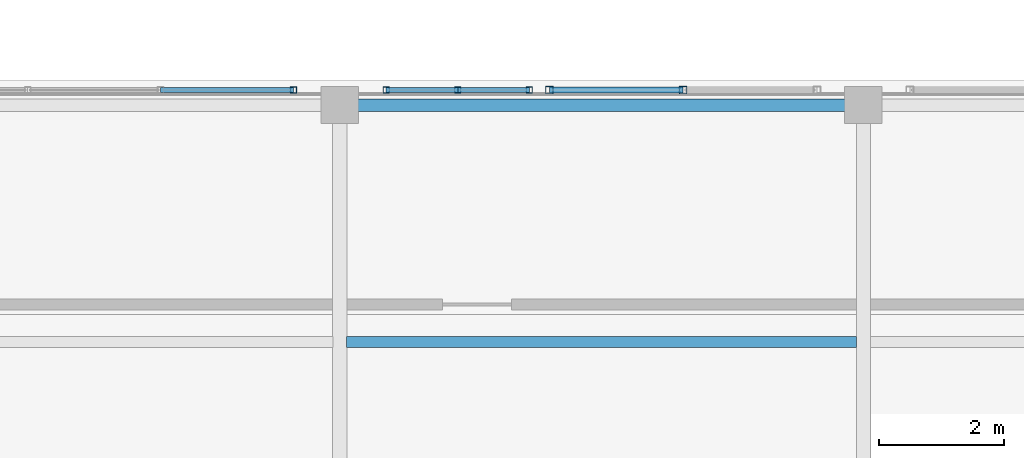
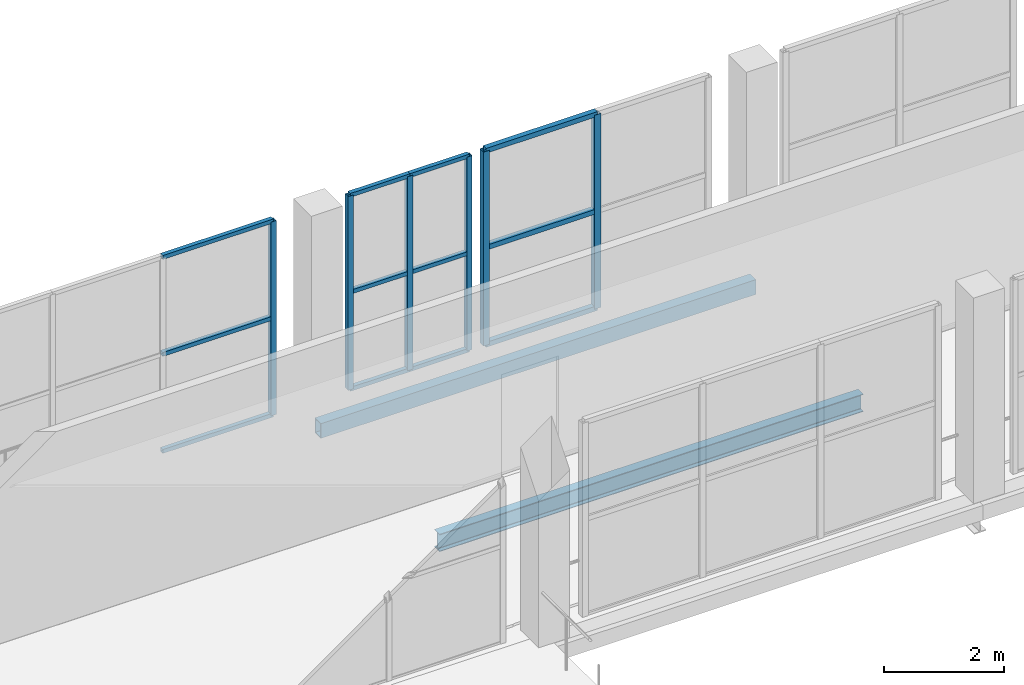
# One storey, part 34 of 151: 18 members, 2 beams, 3 elements without a shape of their own.
"""IFC4 building model written with IfcOpenShell, lengths in metres."""

from ifc_helpers import new_model, si_unit, direction, frame, origin, origin_2d, place, context, subcontext, project, spatial, hollow_rectangle, i_section, extrude, material, material_profile, profile_set, type_object, element, aggregate, save


model = new_model("IFC4")

# Units and contexts
model_context = context("Model", 3, precision=1e-05, world=origin(), true_north=direction((0.0, 1.0)))
body_context = subcontext(model_context, "Body", "Model", "MODEL_VIEW")
ifc_project = project(units=[si_unit("LENGTHUNIT", "METRE"), si_unit("AREAUNIT", "SQUARE_METRE"), si_unit("VOLUMEUNIT", "CUBIC_METRE"), si_unit("PLANEANGLEUNIT", "RADIAN"), si_unit("MASSUNIT", "GRAM", prefix="KILO")], contexts=[model_context])

# Site, building, storey
site_placement = place(None, origin())
site = spatial("IfcSite", under=ifc_project, at=site_placement, CompositionType="ELEMENT")
building_placement = place(site_placement, origin())
building = spatial("IfcBuilding", under=site, at=building_placement, Name="Zuvorla Pavilion Media Centre", CompositionType="ELEMENT")
storey_placement = place(building_placement, frame((0.0, 0.0, 13.800048828125)))
storey = spatial("IfcBuildingStorey", under=building, at=storey_placement, Name="L03", CompositionType="ELEMENT", Elevation=13.800048828125)

# Beams
ifc_material_1 = material(Name="Steel S355", Category="steel")
ifc_material_profile_1 = material_profile(ifc_material_1, hollow_rectangle(XDim=0.199951171875, YDim=0.300048828125, WallThickness=0.012451171875, at=origin_2d()), Name="RHS 300x200x12.5")
ifc_profile_set_1 = profile_set([ifc_material_profile_1], Name="Steel S355")
beam_type_1 = type_object("IfcBeamType", Name="BM-SP-RHS300", PredefinedType="SPANDREL", material=ifc_profile_set_1)
beam_1_placement = place(storey_placement, frame((66.800048828125, 51.60009765625, -0.407958984375), z_axis=(1.0, 0.0, 0.0), x_axis=(0.0, 1.0, 0.0)))
element("IfcBeam", 1, at=beam_1_placement, inside=storey, type_object=beam_type_1, Name="L03 spandrel SP01 1097", PredefinedType="SPANDREL", context=body_context, shape_type="SweptSolid", body=[
    extrude(hollow_rectangle(XDim=0.199951171875, YDim=0.300048828125, WallThickness=0.012451171875, at=origin_2d()), origin(), (0.0, 0.0, 1.0), 8.39990234375),
])
ifc_material_profile_2 = material_profile(ifc_material_1, i_section(OverallWidth=0.172119140625, OverallDepth=0.35791015625, WebThickness=0.008056640625, FlangeThickness=0.012939453125, FilletRadius=0.01025390625, at=origin_2d()), Name="UB 356x171x57")
ifc_profile_set_2 = profile_set([ifc_material_profile_2], Name="Steel S355")
beam_type_2 = type_object("IfcBeamType", Name="BM-UB356", PredefinedType="JOIST", material=ifc_profile_set_2)
beam_2_placement = place(storey_placement, frame((66.909423828125, 47.800048828125, -0.43701171875), z_axis=(1.0, 0.0, 0.0), x_axis=(0.0, 1.0, 0.0)))
element("IfcBeam", 2, at=beam_2_placement, inside=storey, type_object=beam_type_2, Name="L03 joist J03 1261", PredefinedType="JOIST", context=body_context, shape_type="SweptSolid", body=[
    extrude(i_section(OverallWidth=0.172119140625, OverallDepth=0.35791015625, WebThickness=0.008056640625, FlangeThickness=0.012939453125, FilletRadius=0.01025390625, at=origin_2d()), origin(), (0.0, 0.0, 1.0), 8.18115234375),
])

# Curtain wall, member
ifc_material_2 = material(Name="Unitised anodised aluminium and solar glass curtain wall", Category="aluminium")
curtain_wall_type_1 = type_object("IfcCurtainWallType", Name="CW-SYS-46", PredefinedType="USERDEFINED", material=ifc_material_2)
curtain_wall_1_placement = place(storey_placement, origin())
curtain_wall_1 = element("IfcCurtainWall", 3, at=curtain_wall_1_placement, inside=storey, type_object=curtain_wall_type_1, Name="L03 curtain wall CW46 156", ObjectType="CURTAIN WALL", PredefinedType="USERDEFINED")
ifc_material_3 = material(Name="Anodised aluminium 6063-T6", Category="aluminium")
ifc_material_profile_3 = material_profile(ifc_material_3, hollow_rectangle(XDim=0.10009765625, YDim=0.10009765625, WallThickness=0.00439453125, at=origin_2d()), Name="ALU MULL 100x100")
ifc_profile_set_3 = profile_set([ifc_material_profile_3], Name="Anodised aluminium 6063-T6")
member_type_1 = type_object("IfcMemberType", Name="CW-MULL-100", PredefinedType="MULLION", material=ifc_profile_set_3)
member_1_placement = place(storey_placement, frame((66.0556640625, 51.840087890625, 0.0), z_axis=(0.0, 0.0, 1.0), x_axis=(1.0, 0.0, 0.0)))
member_1 = element("IfcMember", 4, at=member_1_placement, type_object=member_type_1, Name="CW46 mullion 4", PredefinedType="MULLION", context=body_context, shape_type="SweptSolid", body=[
    extrude(hollow_rectangle(XDim=0.10009765625, YDim=0.10009765625, WallThickness=0.00439453125, at=origin_2d()), origin(), (0.0, 0.0, 1.0), 3.9599609375),
])

# Curtain wall, members
curtain_wall_type_2 = type_object("IfcCurtainWallType", Name="CW-SYS-75", PredefinedType="USERDEFINED", material=ifc_material_2)
curtain_wall_2_placement = place(storey_placement, origin())
curtain_wall_2 = element("IfcCurtainWall", 5, at=curtain_wall_2_placement, inside=storey, type_object=curtain_wall_type_2, Name="L03 curtain wall CW75 157", ObjectType="CURTAIN WALL", PredefinedType="USERDEFINED")
member_2_placement = place(storey_placement, frame((67.544189453125, 51.840087890625, 0.0), z_axis=(0.0, 0.0, 1.0), x_axis=(1.0, 0.0, 0.0)))
member_2 = element("IfcMember", 6, at=member_2_placement, type_object=member_type_1, Name="CW75 mullion 1", PredefinedType="MULLION", context=body_context, shape_type="SweptSolid", body=[
    extrude(hollow_rectangle(XDim=0.10009765625, YDim=0.10009765625, WallThickness=0.00439453125, at=origin_2d()), origin(), (0.0, 0.0, 1.0), 3.9599609375),
])
member_3_placement = place(storey_placement, frame((68.692138671875, 51.840087890625, 0.0), z_axis=(0.0, 0.0, 1.0), x_axis=(1.0, 0.0, 0.0)))
member_3 = element("IfcMember", 7, at=member_3_placement, type_object=member_type_1, Name="CW75 mullion 2", PredefinedType="MULLION", context=body_context, shape_type="SweptSolid", body=[
    extrude(hollow_rectangle(XDim=0.10009765625, YDim=0.10009765625, WallThickness=0.00439453125, at=origin_2d()), origin(), (0.0, 0.0, 1.0), 3.9599609375),
])
member_4_placement = place(storey_placement, frame((69.840087890625, 51.840087890625, 0.0), z_axis=(0.0, 0.0, 1.0), x_axis=(1.0, 0.0, 0.0)))
member_4 = element("IfcMember", 8, at=member_4_placement, type_object=member_type_1, Name="CW75 mullion 3", PredefinedType="MULLION", context=body_context, shape_type="SweptSolid", body=[
    extrude(hollow_rectangle(XDim=0.10009765625, YDim=0.10009765625, WallThickness=0.00439453125, at=origin_2d()), origin(), (0.0, 0.0, 1.0), 3.9599609375),
])

curtain_wall_type_3 = type_object("IfcCurtainWallType", Name="CW-SYS-41", PredefinedType="USERDEFINED", material=ifc_material_2)
curtain_wall_3_placement = place(storey_placement, origin())
curtain_wall_3 = element("IfcCurtainWall", 9, at=curtain_wall_3_placement, inside=storey, type_object=curtain_wall_type_3, Name="L03 curtain wall CW41 160", ObjectType="CURTAIN WALL", PredefinedType="USERDEFINED")
ifc_material_profile_4 = material_profile(ifc_material_3, hollow_rectangle(XDim=0.1201171875, YDim=0.1201171875, WallThickness=0.0048828125, at=origin_2d()), Name="ALU MULL 120x120")
ifc_profile_set_4 = profile_set([ifc_material_profile_4], Name="Anodised aluminium 6063-T6")
member_type_2 = type_object("IfcMemberType", Name="CW-MULL-120", PredefinedType="MULLION", material=ifc_profile_set_4)
member_5_placement = place(storey_placement, frame((70.159912109375, 51.840087890625, 0.0), z_axis=(0.0, 0.0, 1.0), x_axis=(1.0, 0.0, 0.0)))
member_5 = element("IfcMember", 10, at=member_5_placement, type_object=member_type_2, Name="CW41 mullion 1", PredefinedType="MULLION", context=body_context, shape_type="SweptSolid", body=[
    extrude(hollow_rectangle(XDim=0.1201171875, YDim=0.1201171875, WallThickness=0.0048828125, at=origin_2d()), origin(), (0.0, 0.0, 1.0), 3.9599609375),
])
member_6_placement = place(storey_placement, frame((72.307861328125, 51.840087890625, 0.0), z_axis=(0.0, 0.0, 1.0), x_axis=(1.0, 0.0, 0.0)))
member_6 = element("IfcMember", 11, at=member_6_placement, type_object=member_type_2, Name="CW41 mullion 2", PredefinedType="MULLION", context=body_context, shape_type="SweptSolid", body=[
    extrude(hollow_rectangle(XDim=0.1201171875, YDim=0.1201171875, WallThickness=0.0048828125, at=origin_2d()), origin(), (0.0, 0.0, 1.0), 3.9599609375),
])
ifc_material_profile_5 = material_profile(ifc_material_3, hollow_rectangle(XDim=0.10009765625, YDim=0.10009765625, WallThickness=0.00439453125, at=origin_2d()), Name="ALU TRAN 100x100")
ifc_profile_set_5 = profile_set([ifc_material_profile_5], Name="Anodised aluminium 6063-T6")
member_type_3 = type_object("IfcMemberType", Name="CW-TRAN-100", PredefinedType="USERDEFINED", material=ifc_profile_set_5)
member_7_placement = place(storey_placement, frame((70.159912109375, 51.840087890625, 0.0), z_axis=(1.0, 0.0, 0.0), x_axis=(0.0, 1.0, 0.0)))
member_7 = element("IfcMember", 12, at=member_7_placement, type_object=member_type_3, Name="CW41 transom 1.1", ObjectType="TRANSOM", PredefinedType="USERDEFINED", context=body_context, shape_type="SweptSolid", body=[
    extrude(hollow_rectangle(XDim=0.10009765625, YDim=0.10009765625, WallThickness=0.00439453125, at=origin_2d()), origin(), (0.0, 0.0, 1.0), 2.14794921875),
])
member_8_placement = place(storey_placement, frame((70.159912109375, 51.840087890625, 1.97998046875), z_axis=(1.0, 0.0, 0.0), x_axis=(0.0, 1.0, 0.0)))
member_8 = element("IfcMember", 13, at=member_8_placement, type_object=member_type_3, Name="CW41 transom 1.2", ObjectType="TRANSOM", PredefinedType="USERDEFINED", context=body_context, shape_type="SweptSolid", body=[
    extrude(hollow_rectangle(XDim=0.10009765625, YDim=0.10009765625, WallThickness=0.00439453125, at=origin_2d()), origin(), (0.0, 0.0, 1.0), 2.14794921875),
])
member_9_placement = place(storey_placement, frame((70.159912109375, 51.840087890625, 3.9599609375), z_axis=(1.0, 0.0, 0.0), x_axis=(0.0, 1.0, 0.0)))
member_9 = element("IfcMember", 14, at=member_9_placement, type_object=member_type_3, Name="CW41 transom 1.3", ObjectType="TRANSOM", PredefinedType="USERDEFINED", context=body_context, shape_type="SweptSolid", body=[
    extrude(hollow_rectangle(XDim=0.10009765625, YDim=0.10009765625, WallThickness=0.00439453125, at=origin_2d()), origin(), (0.0, 0.0, 1.0), 2.14794921875),
])
aggregate(curtain_wall_3, [member_5, member_6, member_7, member_8, member_9])

# Member
ifc_material_profile_6 = material_profile(ifc_material_3, hollow_rectangle(XDim=0.080078125, YDim=0.080078125, WallThickness=0.00390625, at=origin_2d()), Name="ALU TRAN 80x80")
ifc_profile_set_6 = profile_set([ifc_material_profile_6], Name="Anodised aluminium 6063-T6")
member_type_4 = type_object("IfcMemberType", Name="CW-TRAN-80", PredefinedType="USERDEFINED", material=ifc_profile_set_6)
member_10_placement = place(storey_placement, frame((63.923828125, 51.840087890625, 0.0), z_axis=(1.0, 0.0, 0.0), x_axis=(0.0, 1.0, 0.0)))
member_10 = element("IfcMember", 15, at=member_10_placement, type_object=member_type_4, Name="CW46 transom 3.1", ObjectType="TRANSOM", PredefinedType="USERDEFINED", context=body_context, shape_type="SweptSolid", body=[
    extrude(hollow_rectangle(XDim=0.080078125, YDim=0.080078125, WallThickness=0.00390625, at=origin_2d()), origin(), (0.0, 0.0, 1.0), 2.1318359375),
])

member_11_placement = place(storey_placement, frame((63.923828125, 51.840087890625, 1.97998046875), z_axis=(1.0, 0.0, 0.0), x_axis=(0.0, 1.0, 0.0)))
member_11 = element("IfcMember", 16, at=member_11_placement, type_object=member_type_4, Name="CW46 transom 3.2", ObjectType="TRANSOM", PredefinedType="USERDEFINED", context=body_context, shape_type="SweptSolid", body=[
    extrude(hollow_rectangle(XDim=0.080078125, YDim=0.080078125, WallThickness=0.00390625, at=origin_2d()), origin(), (0.0, 0.0, 1.0), 2.1318359375),
])

member_12_placement = place(storey_placement, frame((63.923828125, 51.840087890625, 3.9599609375), z_axis=(1.0, 0.0, 0.0), x_axis=(0.0, 1.0, 0.0)))
member_12 = element("IfcMember", 17, at=member_12_placement, type_object=member_type_4, Name="CW46 transom 3.3", ObjectType="TRANSOM", PredefinedType="USERDEFINED", context=body_context, shape_type="SweptSolid", body=[
    extrude(hollow_rectangle(XDim=0.080078125, YDim=0.080078125, WallThickness=0.00390625, at=origin_2d()), origin(), (0.0, 0.0, 1.0), 2.1318359375),
])

aggregate(curtain_wall_1, [member_1, member_10, member_11, member_12])

member_13_placement = place(storey_placement, frame((67.544189453125, 51.840087890625, 0.0), z_axis=(1.0, 0.0, 0.0), x_axis=(0.0, 1.0, 0.0)))
member_13 = element("IfcMember", 18, at=member_13_placement, type_object=member_type_4, Name="CW75 transom 1.1", ObjectType="TRANSOM", PredefinedType="USERDEFINED", context=body_context, shape_type="SweptSolid", body=[
    extrude(hollow_rectangle(XDim=0.080078125, YDim=0.080078125, WallThickness=0.00390625, at=origin_2d()), origin(), (0.0, 0.0, 1.0), 1.14794921875),
])

member_14_placement = place(storey_placement, frame((67.544189453125, 51.840087890625, 1.97998046875), z_axis=(1.0, 0.0, 0.0), x_axis=(0.0, 1.0, 0.0)))
member_14 = element("IfcMember", 19, at=member_14_placement, type_object=member_type_4, Name="CW75 transom 1.2", ObjectType="TRANSOM", PredefinedType="USERDEFINED", context=body_context, shape_type="SweptSolid", body=[
    extrude(hollow_rectangle(XDim=0.080078125, YDim=0.080078125, WallThickness=0.00390625, at=origin_2d()), origin(), (0.0, 0.0, 1.0), 1.14794921875),
])

member_15_placement = place(storey_placement, frame((67.544189453125, 51.840087890625, 3.9599609375), z_axis=(1.0, 0.0, 0.0), x_axis=(0.0, 1.0, 0.0)))
member_15 = element("IfcMember", 20, at=member_15_placement, type_object=member_type_4, Name="CW75 transom 1.3", ObjectType="TRANSOM", PredefinedType="USERDEFINED", context=body_context, shape_type="SweptSolid", body=[
    extrude(hollow_rectangle(XDim=0.080078125, YDim=0.080078125, WallThickness=0.00390625, at=origin_2d()), origin(), (0.0, 0.0, 1.0), 1.14794921875),
])

member_16_placement = place(storey_placement, frame((68.692138671875, 51.840087890625, 0.0), z_axis=(1.0, 0.0, 0.0), x_axis=(0.0, 1.0, 0.0)))
member_16 = element("IfcMember", 21, at=member_16_placement, type_object=member_type_4, Name="CW75 transom 2.1", ObjectType="TRANSOM", PredefinedType="USERDEFINED", context=body_context, shape_type="SweptSolid", body=[
    extrude(hollow_rectangle(XDim=0.080078125, YDim=0.080078125, WallThickness=0.00390625, at=origin_2d()), origin(), (0.0, 0.0, 1.0), 1.14794921875),
])

member_17_placement = place(storey_placement, frame((68.692138671875, 51.840087890625, 1.97998046875), z_axis=(1.0, 0.0, 0.0), x_axis=(0.0, 1.0, 0.0)))
member_17 = element("IfcMember", 22, at=member_17_placement, type_object=member_type_4, Name="CW75 transom 2.2", ObjectType="TRANSOM", PredefinedType="USERDEFINED", context=body_context, shape_type="SweptSolid", body=[
    extrude(hollow_rectangle(XDim=0.080078125, YDim=0.080078125, WallThickness=0.00390625, at=origin_2d()), origin(), (0.0, 0.0, 1.0), 1.14794921875),
])

member_18_placement = place(storey_placement, frame((68.692138671875, 51.840087890625, 3.9599609375), z_axis=(1.0, 0.0, 0.0), x_axis=(0.0, 1.0, 0.0)))
member_18 = element("IfcMember", 23, at=member_18_placement, type_object=member_type_4, Name="CW75 transom 2.3", ObjectType="TRANSOM", PredefinedType="USERDEFINED", context=body_context, shape_type="SweptSolid", body=[
    extrude(hollow_rectangle(XDim=0.080078125, YDim=0.080078125, WallThickness=0.00390625, at=origin_2d()), origin(), (0.0, 0.0, 1.0), 1.14794921875),
])

aggregate(curtain_wall_2, [member_2, member_3, member_4, member_13, member_14, member_15, member_16, member_17, member_18])

save(model, "model.ifc")
